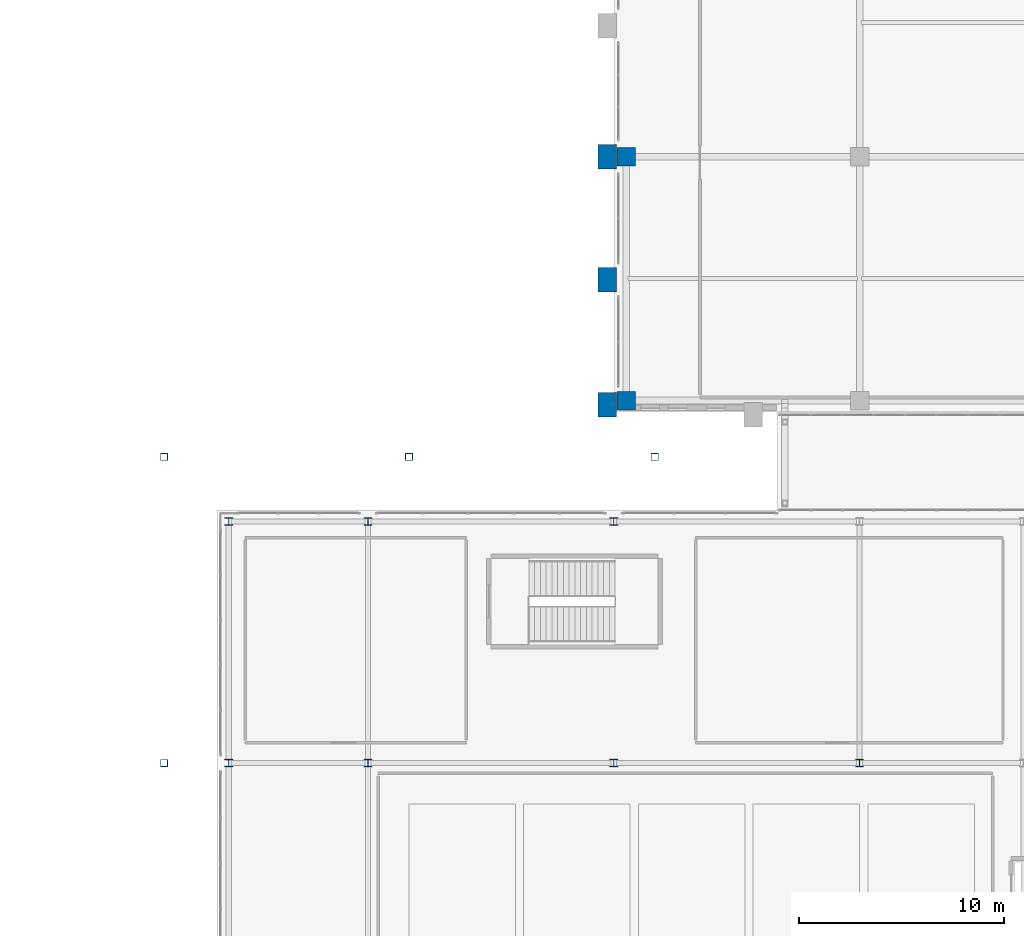
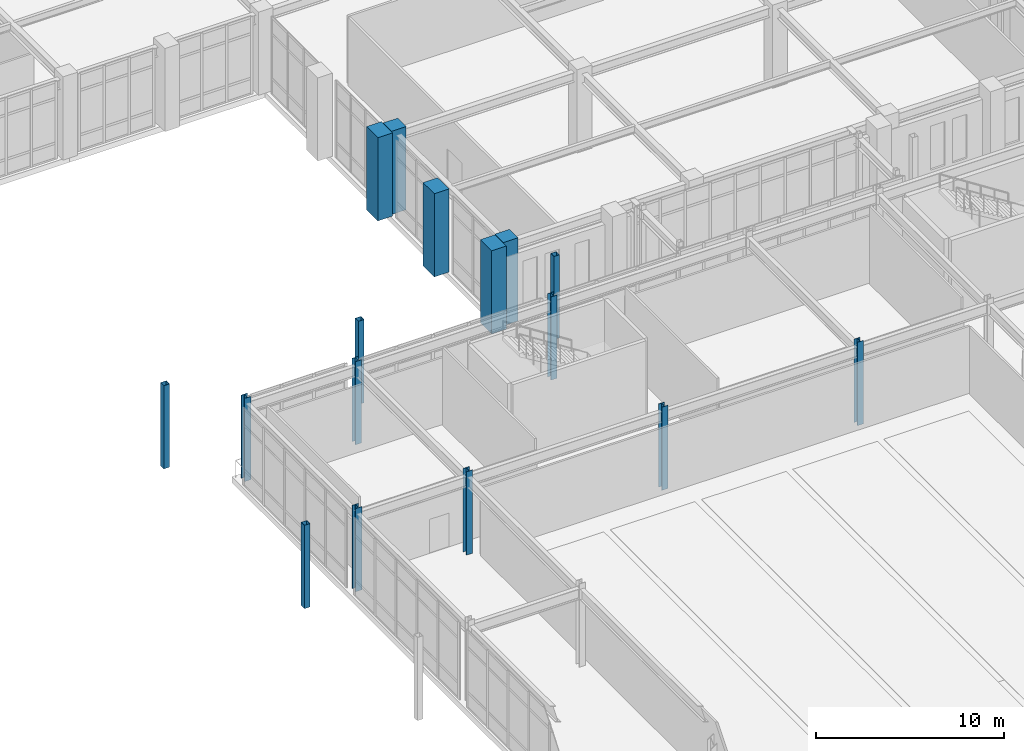
# One storey, part 12 of 159: 16 columns.
"""IFC4 building model written with IfcOpenShell, lengths in metres."""

import ifcopenshell
import ifcopenshell.guid

model = None  # the IFC model being written
_history = None  # IfcOwnerHistory: only IFC2X3 demands one
_inside = {}  # id of a spatial element -> (the spatial element, [elements in it])
_under = {}  # id of a project, library or spatial element -> (it, [spatial elements below it])
_declared = {}  # id of a project -> (the project, [libraries it declares])
_typed = {}  # id of a type object -> (the type object, [elements of that type])
_made_of = {}  # id of a material, layer set ... -> (it, [elements and type objects made of it])


def new_model(schema):
    """Start an empty IFC model of exactly this schema.

    Asked for "IFC4X3", IfcOpenShell would pick the latest addendum, in which some entities
    have other attributes; the version numbers below select the first issue.
    IFC2X3 requires an IfcOwnerHistory on every rooted entity: one is made here for all.
    """
    global model, _history
    if schema == "IFC4X3":
        model = ifcopenshell.file(schema_version=(4, 3, 0, 0))
    else:
        model = ifcopenshell.file(schema=schema)
    _inside.clear()
    _under.clear()
    _declared.clear()
    _typed.clear()
    _made_of.clear()
    _history = None
    if model.schema == "IFC2X3":
        org = make("IfcOrganization", Name="unknown")
        user = make(
            "IfcPersonAndOrganization",
            ThePerson=make("IfcPerson", FamilyName="unknown"),
            TheOrganization=org,
        )
        app = make(
            "IfcApplication",
            ApplicationDeveloper=org,
            Version="unknown",
            ApplicationFullName="unknown",
            ApplicationIdentifier="unknown",
        )
        _history = make(
            "IfcOwnerHistory",
            OwningUser=user,
            OwningApplication=app,
            ChangeAction="ADDED",
            CreationDate=0,
        )
    return model


def make(cls, **values):
    """One entity of the class cls with the attributes given. An attribute that is None is left unset."""
    return model.create_entity(
        cls, **{name: value for name, value in values.items() if value is not None}
    )


def rooted(cls, **values):
    """An entity with a GlobalId (a new one), such as an element, a storey or a relation."""
    return make(cls, GlobalId=ifcopenshell.guid.new(), OwnerHistory=_history, **values)


def si_unit(unit_type, name, prefix=None):
    """IfcSIUnit, for example si_unit("LENGTHUNIT", "METRE", prefix="MILLI")."""
    return make("IfcSIUnit", UnitType=unit_type, Prefix=prefix, Name=name)


def derived_unit(unit_type, elements):
    """IfcDerivedUnit: a product of units, each with its exponent."""
    return make(
        "IfcDerivedUnit",
        Elements=[
            make("IfcDerivedUnitElement", Unit=unit, Exponent=power)
            for unit, power in elements
        ],
        UnitType=unit_type,
    )


def assignment(units):
    """IfcUnitAssignment: the units of a project."""
    return None if units is None else make("IfcUnitAssignment", Units=units)


def point(xyz):
    """IfcCartesianPoint."""
    return None if xyz is None else make("IfcCartesianPoint", Coordinates=xyz)


def direction(xyz):
    """IfcDirection."""
    return None if xyz is None else make("IfcDirection", DirectionRatios=xyz)


def frame(location, z_axis=None, x_axis=None):
    """IfcAxis2Placement3D, a coordinate frame: its origin and axes. An axis left out is left unset."""
    return make(
        "IfcAxis2Placement3D",
        Location=point(location),
        Axis=direction(z_axis),
        RefDirection=direction(x_axis),
    )


def frame_2d(location, x_axis=None):
    """IfcAxis2Placement2D, a coordinate frame in the plane: its origin and x axis."""
    return make(
        "IfcAxis2Placement2D", Location=point(location), RefDirection=direction(x_axis)
    )


def origin():
    """The frame at (0, 0, 0) with its axes left unset."""
    return frame((0.0, 0.0, 0.0))


def origin_2d():
    """The frame at (0, 0) in the plane with its x axis left unset."""
    return frame_2d((0.0, 0.0))


def place(relative_to, where):
    """IfcLocalPlacement: puts the frame where relative to a parent placement (None: the world)."""
    return make(
        "IfcLocalPlacement", PlacementRelTo=relative_to, RelativePlacement=where
    )


def context(
    kind, dimensions, precision=None, world=None, true_north=None, identifier=None
):
    """IfcGeometricRepresentationContext, for example the 3D "Model" context."""
    return make(
        "IfcGeometricRepresentationContext",
        ContextIdentifier=identifier,
        ContextType=kind,
        CoordinateSpaceDimension=dimensions,
        Precision=precision,
        WorldCoordinateSystem=world,
        TrueNorth=true_north,
    )


def subcontext(parent, identifier, kind, view, scale=None):
    """IfcGeometricRepresentationSubContext, for example "Body" below "Model"."""
    return make(
        "IfcGeometricRepresentationSubContext",
        ContextIdentifier=identifier,
        ContextType=kind,
        ParentContext=parent,
        TargetScale=scale,
        TargetView=view,
    )


def project(units=None, contexts=None):
    """IfcProject with its units and contexts."""
    return rooted(
        "IfcProject",
        Name="project",
        RepresentationContexts=contexts,
        UnitsInContext=assignment(units),
    )


def spatial(cls, under=None, at=None, **own):
    """A site, building, storey or space (cls), placed at a placement, below another one or the project."""
    s = rooted(cls, ObjectPlacement=at, **own)
    if under is not None:
        _under.setdefault(under.id(), (under, []))[1].append(s)
    return s


def profile(cls, at=None, kind="AREA", **sizes):
    """A parametric profile (cls). Its sizes go by their IFC names, for example OverallWidth=200.0."""
    return make(cls, ProfileType=kind, Position=at, **sizes)


def rectangle(**sizes):
    """IfcRectangleProfileDef."""
    return profile("IfcRectangleProfileDef", **sizes)


def hollow_rectangle(**sizes):
    """IfcRectangleHollowProfileDef."""
    return profile("IfcRectangleHollowProfileDef", **sizes)


def i_section(**sizes):
    """IfcIShapeProfileDef."""
    return profile("IfcIShapeProfileDef", **sizes)


def extrude(swept, where, along, depth):
    """IfcExtrudedAreaSolid: the profile swept, set in the frame where, extruded along a direction by depth."""
    return make(
        "IfcExtrudedAreaSolid",
        SweptArea=swept,
        Position=where,
        ExtrudedDirection=direction(along),
        Depth=depth,
    )


def shape(context_of_items, identifier, shape_type, items):
    """IfcShapeRepresentation: the items that make up one representation, for example the "Body"."""
    return make(
        "IfcShapeRepresentation",
        ContextOfItems=context_of_items,
        RepresentationIdentifier=identifier,
        RepresentationType=shape_type,
        Items=items,
    )


def material(Name=None, Category=None):
    """IfcMaterial."""
    return make("IfcMaterial", Name=Name, Category=Category)


def material_profile(
    of_material, cross_section, Name=None, Category=None, Priority=None
):
    """IfcMaterialProfile: a cross section and its material."""
    return make(
        "IfcMaterialProfile",
        Name=Name,
        Material=of_material,
        Profile=cross_section,
        Priority=Priority,
        Category=Category,
    )


def profile_set(profiles, Name=None, composite=None):
    """IfcMaterialProfileSet."""
    return make(
        "IfcMaterialProfileSet",
        Name=Name,
        MaterialProfiles=profiles,
        CompositeProfile=composite,
    )


def made_of(thing, what):
    """Note that an element or type object is made of a material, layer set ...; save() writes the relation."""
    if what is not None:
        _made_of.setdefault(what.id(), (what, []))[1].append(thing)
    return thing


def type_object(cls, material=None, **own):
    """A type object (cls), such as IfcWallType, which elements share."""
    return made_of(rooted(cls, **own), material)


def element(
    cls,
    number,
    at=None,
    inside=None,
    cuts=None,
    type_object=None,
    material=None,
    context=None,
    identifier="Body",
    shape_type=None,
    held_by="IfcProductDefinitionShape",
    body=None,
    shapes=None,
    **own,
):
    """One element of the class cls, such as IfcWall. Its Tag is "e" and its number.

    at: its placement. inside: the storey or other place that contains it. cuts: it is an
    opening in that element (IfcRelVoidsElement). A single representation is given by context,
    identifier, shape_type and body (its items); several are given by shapes. held_by: the class
    of the entity that holds the representations. save() writes the other relations.
    """
    e = rooted(cls, Tag="e%d" % number, ObjectPlacement=at, **own)
    if body is not None:
        shapes = [shape(context, identifier, shape_type, body)]
    if shapes is not None:
        e.Representation = make(held_by, Representations=shapes)
    if inside is not None:
        _inside.setdefault(inside.id(), (inside, []))[1].append(e)
    if cuts is not None:
        rooted(
            "IfcRelVoidsElement", RelatingBuildingElement=cuts, RelatedOpeningElement=e
        )
    if type_object is not None:
        _typed.setdefault(type_object.id(), (type_object, []))[1].append(e)
    return made_of(e, material)


def aggregate(whole, parts):
    """IfcRelAggregates: a whole, such as a stair, and the parts it consists of."""
    return rooted("IfcRelAggregates", RelatingObject=whole, RelatedObjects=parts)


def save(model, path):
    """Write the relations noted so far, then the file.

    IfcRelAggregates (storeys below a building ...), IfcRelContainedInSpatialStructure (elements
    in a storey), IfcRelDefinesByType, IfcRelAssociatesMaterial and IfcRelDeclares: one each for
    every whole, place, type object, material and project.
    """
    for whole, parts in _under.values():
        aggregate(whole, parts)
    for where, things in _inside.values():
        rooted(
            "IfcRelContainedInSpatialStructure",
            RelatedElements=things,
            RelatingStructure=where,
        )
    for kind, things in _typed.values():
        rooted("IfcRelDefinesByType", RelatedObjects=things, RelatingType=kind)
    for what, things in _made_of.values():
        rooted("IfcRelAssociatesMaterial", RelatedObjects=things, RelatingMaterial=what)
    for by, libraries in _declared.values():
        rooted("IfcRelDeclares", RelatingContext=by, RelatedDefinitions=libraries)
    model.write(path)


model = new_model("IFC4")

# Units and contexts
model_context = context("Model", 3, precision=1e-05, world=origin(), true_north=direction((0.0, 1.0)))
body_context = subcontext(model_context, "Body", "Model", "MODEL_VIEW")
ifc_project = project(units=[si_unit("LENGTHUNIT", "METRE"), si_unit("AREAUNIT", "SQUARE_METRE"), si_unit("VOLUMEUNIT", "CUBIC_METRE"), si_unit("PLANEANGLEUNIT", "RADIAN"), si_unit("MASSUNIT", "GRAM", prefix="KILO"), derived_unit("THERMALTRANSMITTANCEUNIT", [(si_unit("MASSUNIT", "GRAM", prefix="KILO"), 1), (si_unit("TIMEUNIT", "SECOND"), -3), (si_unit("THERMODYNAMICTEMPERATUREUNIT", "KELVIN"), -1)])], contexts=[model_context])

# Site, building, storey
site_placement = place(None, origin())
site = spatial("IfcSite", under=ifc_project, at=site_placement, CompositionType="ELEMENT")
building_placement = place(site_placement, origin())
building = spatial("IfcBuilding", under=site, at=building_placement, Name="Valcora Ridge Arena", CompositionType="ELEMENT")
storey_placement = place(building_placement, frame((0.0, 0.0, 6.0)))
storey = spatial("IfcBuildingStorey", under=building, at=storey_placement, Name="L01", CompositionType="ELEMENT", Elevation=6.0)

# Columns
ifc_material_1 = material(Name="Bush-hammered Andean travertine architectural concrete C45/55", Category="masonry")
ifc_material_profile_1 = material_profile(ifc_material_1, rectangle(XDim=0.89990234375, YDim=1.199951171875, at=origin_2d()), Name="RC 900x1200")
ifc_profile_set_1 = profile_set([ifc_material_profile_1], Name="Bush-hammered Andean travertine architectural concrete C45/55")
column_type_1 = type_object("IfcColumnType", Name="TY-COLUMN-C-BUTT-1200", PredefinedType="PILASTER", material=ifc_profile_set_1)
for number, where, z_axis, x_axis, name in (
    (1, (155.679931640625, 83.5, 0.0), (0.0, 0.0, 1.0), (1.0, 0.0, 0.0), "C-BUTT-1200 COL-C-BUTT-1200-0249"),
    (2, (155.679931640625, 89.60009765625, 0.0), (0.0, 0.0, 1.0), (1.0, 0.0, 0.0), "C-BUTT-1200 COL-C-BUTT-1200-0253"),
    (3, (155.679931640625, 95.60009765625, 0.0), (0.0, 0.0, 1.0), (1.0, 0.0, 0.0), "C-BUTT-1200 COL-C-BUTT-1200-0257"),
):
    element("IfcColumn", number, at=place(storey_placement, frame(where, z_axis=z_axis, x_axis=x_axis)), inside=storey, type_object=column_type_1, Name=name, PredefinedType="PILASTER", context=body_context, shape_type="SweptSolid", body=[
        extrude(rectangle(XDim=0.89990234375, YDim=1.199951171875, at=origin_2d()), origin(), (0.0, 0.0, 1.0), 5.39990234375),
    ])
ifc_material_2 = material(Name="Steel ASTM A500 Grade C", Category="steel")
ifc_material_profile_2 = material_profile(ifc_material_2, hollow_rectangle(XDim=0.35009765625, YDim=0.35009765625, WallThickness=0.01611328125, at=origin_2d()), Name="HSS350X350X16")
ifc_profile_set_2 = profile_set([ifc_material_profile_2], Name="Steel ASTM A500 Grade C")
column_type_2 = type_object("IfcColumnType", Name="TY-COLUMN-C-COL350", PredefinedType="COLUMN", material=ifc_profile_set_2)
for number, where, z_axis, x_axis, name in (
    (4, (134.050048828125, 66.0, 0.0), (0.0, 0.0, 1.0), (1.0, 0.0, 0.0), "C-COL350 COL-C-COL350-0017"),
    (5, (134.050048828125, 80.949951171875, 0.0), (0.0, 0.0, 1.0), (1.0, 0.0, 0.0), "C-COL350 COL-C-COL350-0020"),
    (6, (146.0, 80.949951171875, 0.0), (0.0, 0.0, 1.0), (1.0, 0.0, 0.0), "C-COL350 COL-C-COL350-0056"),
    (7, (158.0, 80.949951171875, 0.0), (0.0, 0.0, 1.0), (1.0, 0.0, 0.0), "C-COL350 COL-C-COL350-0059"),
):
    element("IfcColumn", number, at=place(storey_placement, frame(where, z_axis=z_axis, x_axis=x_axis)), inside=storey, type_object=column_type_2, Name=name, PredefinedType="COLUMN", context=body_context, shape_type="SweptSolid", body=[
        extrude(hollow_rectangle(XDim=0.35009765625, YDim=0.35009765625, WallThickness=0.01611328125, at=origin_2d()), origin(), (0.0, 0.0, 1.0), 5.39990234375),
    ])
ifc_material_3 = material(Name="Concrete C40/50", Category="concrete")
ifc_material_profile_3 = material_profile(ifc_material_3, rectangle(XDim=0.89990234375, YDim=0.89990234375, at=origin_2d()), Name="RC 900x900")
ifc_profile_set_3 = profile_set([ifc_material_profile_3], Name="Concrete C40/50")
column_type_3 = type_object("IfcColumnType", Name="TY-COLUMN-C-RC900B", PredefinedType="COLUMN", material=ifc_profile_set_3)
for number, where, z_axis, x_axis, name in (
    (8, (156.60009765625, 83.699951171875, 0.0), (0.0, 0.0, 1.0), (1.0, 0.0, 0.0), "C-RC900B COL-C-RC900B-0138"),
    (9, (156.60009765625, 95.60009765625, 0.0), (0.0, 0.0, 1.0), (1.0, 0.0, 0.0), "C-RC900B COL-C-RC900B-0141"),
):
    element("IfcColumn", number, at=place(storey_placement, frame(where, z_axis=z_axis, x_axis=x_axis)), inside=storey, type_object=column_type_3, Name=name, PredefinedType="COLUMN", context=body_context, shape_type="SweptSolid", body=[
        extrude(rectangle(XDim=0.89990234375, YDim=0.89990234375, at=origin_2d()), origin(), (0.0, 0.0, 1.0), 5.39990234375),
    ])
ifc_material_4 = material(Name="Steel ASTM A572 Grade 50", Category="steel")
ifc_material_profile_4 = material_profile(ifc_material_4, i_section(OverallWidth=0.3740234375, OverallDepth=0.373046875, WebThickness=0.016357421875, FlangeThickness=0.026123046875, FilletRadius=0.01806640625, at=origin_2d()), Name="W14X132")
ifc_profile_set_4 = profile_set([ifc_material_profile_4], Name="Steel ASTM A572 Grade 50")
column_type_4 = type_object("IfcColumnType", Name="TY-COLUMN-C-STL14B", PredefinedType="COLUMN", material=ifc_profile_set_4)
for number, where, z_axis, x_axis, name in (
    (10, (137.199951171875, 66.0, 0.0), (0.0, 0.0, 1.0), (1.0, 0.0, 0.0), "C-STL14B COL-C-STL14B-0011"),
    (11, (137.199951171875, 77.800048828125, 0.0), (0.0, 0.0, 1.0), (1.0, 0.0, 0.0), "C-STL14B COL-C-STL14B-0013"),
    (12, (144.0, 66.0, 0.0), (0.0, 0.0, 1.0), (1.0, 0.0, 0.0), "C-STL14B COL-C-STL14B-0025"),
    (13, (144.0, 77.800048828125, 0.0), (0.0, 0.0, 1.0), (1.0, 0.0, 0.0), "C-STL14B COL-C-STL14B-0027"),
    (14, (156.0, 66.0, 0.0), (0.0, 0.0, 1.0), (1.0, 0.0, 0.0), "C-STL14B COL-C-STL14B-0033"),
    (15, (156.0, 77.800048828125, 0.0), (0.0, 0.0, 1.0), (1.0, 0.0, 0.0), "C-STL14B COL-C-STL14B-0035"),
    (16, (168.0, 66.0, 0.0), (0.0, 0.0, 1.0), (1.0, 0.0, 0.0), "C-STL14B COL-C-STL14B-0041"),
):
    element("IfcColumn", number, at=place(storey_placement, frame(where, z_axis=z_axis, x_axis=x_axis)), inside=storey, type_object=column_type_4, Name=name, PredefinedType="COLUMN", context=body_context, shape_type="SweptSolid", body=[
        extrude(i_section(OverallWidth=0.3740234375, OverallDepth=0.373046875, WebThickness=0.016357421875, FlangeThickness=0.026123046875, FilletRadius=0.01806640625, at=origin_2d()), origin(), (0.0, 0.0, 1.0), 5.39990234375),
    ])

save(model, "model.ifc")
